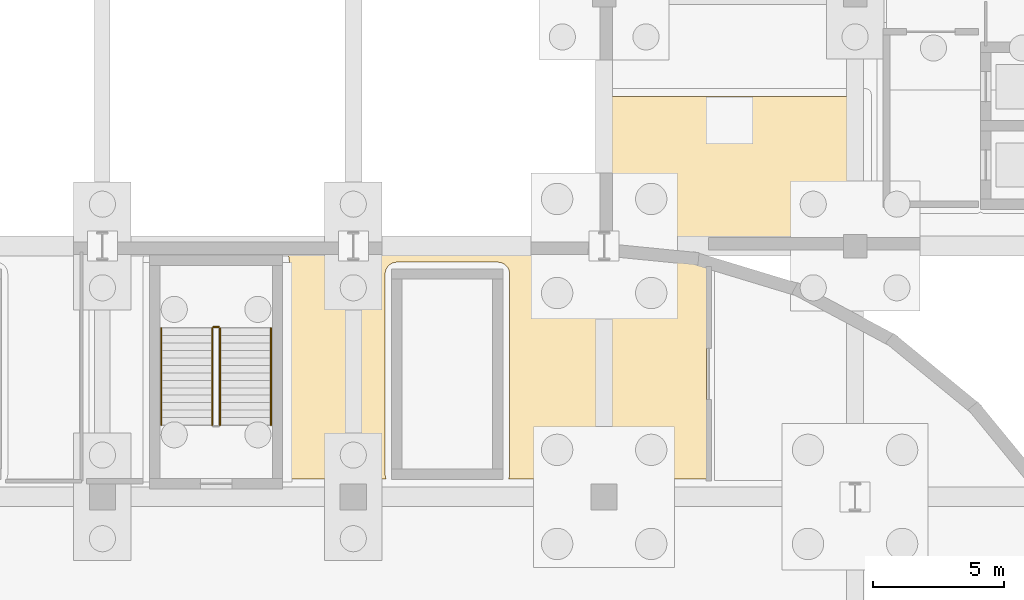
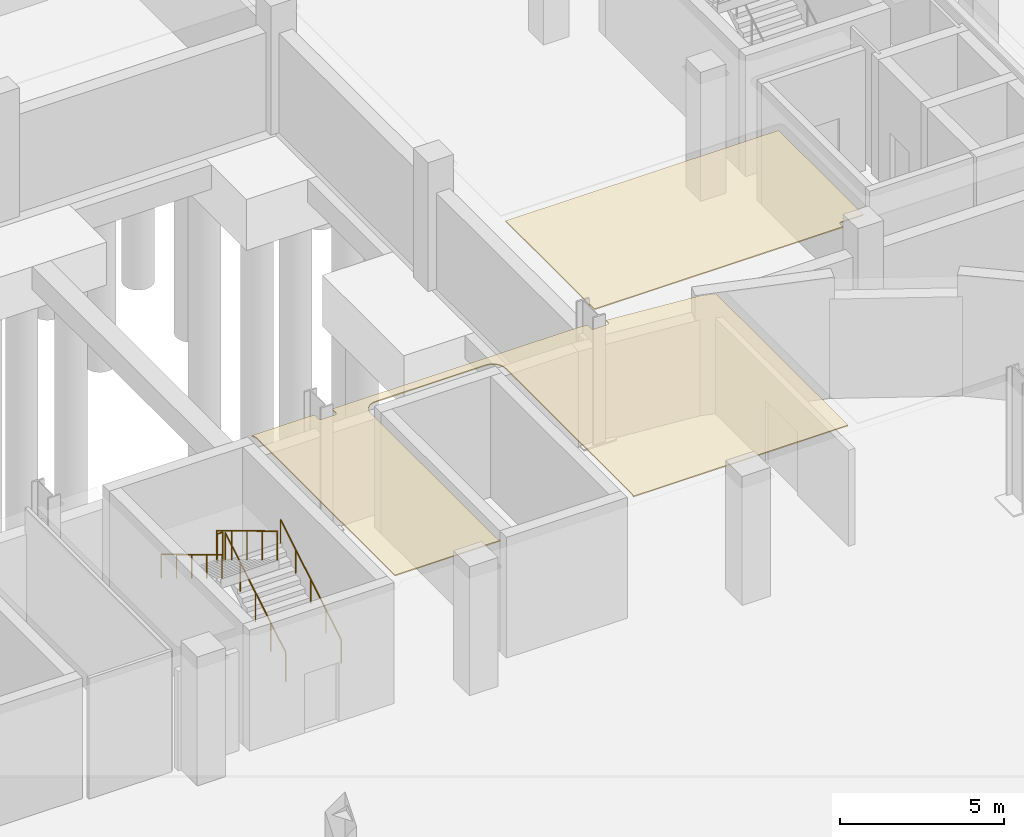
# One storey, part 60 of 67: 5 railings, 2 coverings.
"""IFC4 building model written with IfcOpenShell, lengths in metres."""

from ifc_helpers import new_model, si_unit, direction, frame, origin, origin_2d, place, context, subcontext, project, spatial, polyline, circle, outline, extrude, material, layer, layer_set, type_object, element, save


model = new_model("IFC4")

# Units and contexts
model_context = context("Model", 3, precision=1e-05, world=origin(), true_north=direction((0.0, 1.0)))
body_context = subcontext(model_context, "Body", "Model", "MODEL_VIEW")
ifc_project = project(units=[si_unit("LENGTHUNIT", "METRE"), si_unit("AREAUNIT", "SQUARE_METRE"), si_unit("VOLUMEUNIT", "CUBIC_METRE"), si_unit("PLANEANGLEUNIT", "RADIAN"), si_unit("MASSUNIT", "GRAM", prefix="KILO")], contexts=[model_context])

# Site, building, storey
site_placement = place(None, origin())
site = spatial("IfcSite", under=ifc_project, at=site_placement, CompositionType="ELEMENT")
building_placement = place(site_placement, origin())
building = spatial("IfcBuilding", under=site, at=building_placement, Name="Caelomonte Colonnade Arena", CompositionType="ELEMENT")
storey_placement = place(building_placement, frame((0.0, 0.0, -4.800048828125)))
storey = spatial("IfcBuildingStorey", under=building, at=storey_placement, Name="B1", CompositionType="ELEMENT", Elevation=-4.800048828125)

# Coverings
ifc_material_1 = material(Name="Perforated acoustic mineral-fibre ceiling")
ifc_layer = layer(ifc_material_1, 0.0400390625)
ifc_layer_set = layer_set([ifc_layer], Name="Perforated acoustic mineral-fibre ceiling")
covering_type = type_object("IfcCoveringType", Name="INT-CV-CEIL1", PredefinedType="CEILING", material=ifc_layer_set)
covering_1_placement = place(storey_placement, frame((0.0, 0.0, 4.420166015625)))
element("IfcCovering", 1, at=covering_1_placement, inside=storey, type_object=covering_type, Name="B1 Court Equipment Store acoustic ceiling", PredefinedType="CEILING", context=body_context, shape_type="SweptSolid", body=[
    extrude(outline(polyline([(134.091552734375, 114.89990234375), (131.874267578125, 114.89990234375), (131.89697265625, 114.862060546875), (131.915771484375, 114.822265625), (131.9306640625, 114.780517578125), (131.94140625, 114.73779296875), (131.94775390625, 114.694091796875), (131.949951171875, 114.64990234375), (131.949951171875, 106.280029296875), (135.66259765625, 106.280029296875), (135.654296875, 106.2978515625), (135.639404296875, 106.33935546875), (135.628662109375, 106.382080078125), (135.622314453125, 106.42578125), (135.6201171875, 106.469970703125), (135.6201171875, 114.1298828125), (135.622314453125, 114.174072265625), (135.628662109375, 114.2177734375), (135.639404296875, 114.260498046875), (135.654296875, 114.30224609375), (135.673095703125, 114.342041015625), (135.69580078125, 114.3798828125), (135.72216796875, 114.41552734375), (135.751708984375, 114.4482421875), (135.784423828125, 114.477783203125), (135.820068359375, 114.504150390625), (135.85791015625, 114.52685546875), (135.897705078125, 114.545654296875), (135.939453125, 114.560546875), (135.982177734375, 114.5712890625), (136.02587890625, 114.577880859375), (136.070068359375, 114.580078125), (139.929931640625, 114.580078125), (139.97412109375, 114.577880859375), (140.017822265625, 114.5712890625), (140.060546875, 114.560546875), (140.102294921875, 114.545654296875), (140.14208984375, 114.52685546875), (140.179931640625, 114.504150390625), (140.215576171875, 114.477783203125), (140.248291015625, 114.4482421875), (140.27783203125, 114.41552734375), (140.30419921875, 114.3798828125), (140.326904296875, 114.342041015625), (140.345703125, 114.30224609375), (140.360595703125, 114.260498046875), (140.371337890625, 114.2177734375), (140.377685546875, 114.174072265625), (140.3798828125, 114.1298828125), (140.3798828125, 106.469970703125), (140.377685546875, 106.42578125), (140.371337890625, 106.382080078125), (140.360595703125, 106.33935546875), (140.345703125, 106.2978515625), (140.33740234375, 106.280029296875), (147.919921875, 106.280029296875), (147.919921875, 114.354736328125), (147.43798828125, 114.500732421875), (144.30859375, 114.80908203125), (144.30859375, 114.664306640625), (144.30810546875, 114.656494140625), (144.306884765625, 114.648681640625), (144.30517578125, 114.64111328125), (144.302490234375, 114.6337890625), (144.299072265625, 114.626708984375), (144.294921875, 114.619873046875), (144.290283203125, 114.613525390625), (144.28515625, 114.607666015625), (144.279296875, 114.6025390625), (144.27294921875, 114.597900390625), (144.26611328125, 114.59375), (144.259033203125, 114.59033203125), (144.251708984375, 114.587646484375), (144.244140625, 114.585693359375), (144.236328125, 114.584716796875), (144.228515625, 114.584228515625), (143.771484375, 114.584228515625), (143.763671875, 114.584716796875), (143.755859375, 114.585693359375), (143.748291015625, 114.587646484375), (143.740966796875, 114.59033203125), (143.73388671875, 114.59375), (143.72705078125, 114.597900390625), (143.720703125, 114.6025390625), (143.71484375, 114.607666015625), (143.709716796875, 114.613525390625), (143.705078125, 114.619873046875), (143.700927734375, 114.626708984375), (143.697509765625, 114.6337890625), (143.69482421875, 114.64111328125), (143.693115234375, 114.648681640625), (143.69189453125, 114.656494140625), (143.69140625, 114.664306640625), (143.69140625, 114.869873046875), (143.38525390625, 114.89990234375), (134.70849609375, 114.89990234375), (134.70849609375, 114.664306640625), (134.7080078125, 114.656494140625), (134.70703125, 114.648681640625), (134.705078125, 114.64111328125), (134.702392578125, 114.6337890625), (134.69921875, 114.626708984375), (134.695068359375, 114.619873046875), (134.690185546875, 114.613525390625), (134.68505859375, 114.607666015625), (134.67919921875, 114.6025390625), (134.6728515625, 114.597900390625), (134.666259765625, 114.59375), (134.6591796875, 114.59033203125), (134.651611328125, 114.587646484375), (134.64404296875, 114.585693359375), (134.63623046875, 114.584716796875), (134.62841796875, 114.584228515625), (134.17138671875, 114.584228515625), (134.163818359375, 114.584716796875), (134.156005859375, 114.585693359375), (134.148193359375, 114.587646484375), (134.140869140625, 114.59033203125), (134.1337890625, 114.59375), (134.127197265625, 114.597900390625), (134.12060546875, 114.6025390625), (134.114990234375, 114.607666015625), (134.109619140625, 114.613525390625), (134.10498046875, 114.619873046875), (134.100830078125, 114.626708984375), (134.09765625, 114.6337890625), (134.094970703125, 114.64111328125), (134.093017578125, 114.648681640625), (134.091796875, 114.656494140625), (134.091552734375, 114.664306640625), (134.091552734375, 114.89990234375)])), origin(), (0.0, 0.0, 1.0), 0.039794921875),
])
covering_2_placement = place(storey_placement, frame((0.0, 0.0, 4.420166015625)))
element("IfcCovering", 2, at=covering_2_placement, inside=storey, type_object=covering_type, Name="B1 North Service Concourse acoustic ceiling", PredefinedType="CEILING", context=body_context, shape_type="SweptSolid", body=[
    extrude(outline(polyline([(144.300048828125, 120.919921875), (144.300048828125, 115.771484375), (144.302490234375, 115.766357421875), (144.30517578125, 115.7587890625), (144.306884765625, 115.751220703125), (144.30810546875, 115.743408203125), (144.30859375, 115.735595703125), (144.30859375, 115.5), (153.054931640625, 115.5), (153.054931640625, 115.6650390625), (153.055419921875, 115.6728515625), (153.056396484375, 115.6806640625), (153.058349609375, 115.688232421875), (153.06103515625, 115.695556640625), (153.064453125, 115.70263671875), (153.068603515625, 115.70947265625), (153.0732421875, 115.7158203125), (153.078369140625, 115.7216796875), (153.084228515625, 115.726806640625), (153.090576171875, 115.7314453125), (153.097412109375, 115.735595703125), (153.1044921875, 115.739013671875), (153.11181640625, 115.74169921875), (153.119384765625, 115.743408203125), (153.127197265625, 115.74462890625), (153.135009765625, 115.7451171875), (153.919921875, 115.7451171875), (153.919921875, 120.919921875), (144.300048828125, 120.919921875)])), origin(), (0.0, 0.0, 1.0), 0.039794921875),
])

# Railings
ifc_material_2 = material(Name="Painted galvanized steel stair guard", Category="steel")
railing_type_1 = type_object("IfcRailingType", Name="INT-RL-GRD", PredefinedType="GUARDRAIL", material=ifc_material_2)
railing_1_placement = place(storey_placement, frame((129.300048828125, 108.35009765625, 0.17138671875)))
element("IfcRailing", 3, at=railing_1_placement, inside=storey, type_object=railing_type_1, Name="B1 ST-16 stair guard 1", PredefinedType="GUARDRAIL", context=body_context, shape_type="SweptSolid", body=[
    extrude(circle(Radius=0.02392578125, at=origin_2d()), frame((0.0, 0.0, 1.076171875), z_axis=(0.0, 0.856894455432, 0.515491893485), x_axis=(-1.0, 0.0, 0.0)), (0.0, 0.0, 1.0), 4.323486328125),
    extrude(circle(Radius=0.02099609375, at=origin_2d()), origin(), (0.0, 0.0, 1.0), 1.048095703125),
    extrude(circle(Radius=0.02099609375, at=origin_2d()), frame((0.0, 0.92626953125, 0.55712890625)), (0.0, 0.0, 1.0), 1.048095703125),
    extrude(circle(Radius=0.02099609375, at=origin_2d()), frame((0.0, 1.8525390625, 1.1142578125)), (0.0, 0.0, 1.0), 1.048095703125),
    extrude(circle(Radius=0.02099609375, at=origin_2d()), frame((0.0, 2.778564453125, 1.671630859375)), (0.0, 0.0, 1.0), 1.048095703125),
    extrude(circle(Radius=0.02099609375, at=origin_2d()), frame((0.0, 3.704833984375, 2.228759765625)), (0.0, 0.0, 1.0), 1.048095703125),
])
railing_2_placement = place(storey_placement, frame((129.25, 112.10498046875, 2.400146484375)))
element("IfcRailing", 4, at=railing_2_placement, inside=storey, type_object=railing_type_1, Name="B1 ST-16 stair guard 2", PredefinedType="GUARDRAIL", context=body_context, shape_type="SweptSolid", body=[
    extrude(circle(Radius=0.02392578125, at=origin_2d()), frame((0.0, 0.0, 1.076171875), z_axis=(-1.0, 0.0, 0.0), x_axis=(0.0, -1.0, 0.0)), (0.0, 0.0, 1.0), 0.199951171875),
    extrude(circle(Radius=0.02099609375, at=origin_2d()), origin(), (0.0, 0.0, 1.0), 1.048095703125),
    extrude(circle(Radius=0.02099609375, at=origin_2d()), frame((-0.199951171875, 0.0, 0.0)), (0.0, 0.0, 1.0), 1.048095703125),
])
railing_3_placement = place(storey_placement, frame((129.0, 112.054931640625, 2.571533203125)))
element("IfcRailing", 5, at=railing_3_placement, inside=storey, type_object=railing_type_1, Name="B1 ST-16 stair guard 3", PredefinedType="GUARDRAIL", context=body_context, shape_type="SweptSolid", body=[
    extrude(circle(Radius=0.02392578125, at=origin_2d()), frame((0.0, 0.0, 1.076171875), z_axis=(0.0, -0.856919398105, 0.515450429384), x_axis=(1.0, 0.0, 0.0)), (0.0, 0.0, 1.0), 4.323486328125),
    extrude(circle(Radius=0.02099609375, at=origin_2d()), origin(), (0.0, 0.0, 1.0), 1.048095703125),
    extrude(circle(Radius=0.02099609375, at=origin_2d()), frame((0.0, -0.92626953125, 0.55712890625)), (0.0, 0.0, 1.0), 1.048095703125),
    extrude(circle(Radius=0.02099609375, at=origin_2d()), frame((0.0, -1.8525390625, 1.1142578125)), (0.0, 0.0, 1.0), 1.048095703125),
    extrude(circle(Radius=0.02099609375, at=origin_2d()), frame((0.0, -2.778564453125, 1.67138671875)), (0.0, 0.0, 1.0), 1.048095703125),
    extrude(circle(Radius=0.02099609375, at=origin_2d()), frame((0.0, -3.704833984375, 2.228515625)), (0.0, 0.0, 1.0), 1.048095703125),
])
ifc_material_3 = material(Name="Brushed stainless steel stair handrail", Category="steel")
railing_type_2 = type_object("IfcRailingType", Name="INT-RL-HR", PredefinedType="HANDRAIL", material=ifc_material_3)
railing_4_placement = place(storey_placement, frame((131.25, 108.35009765625, 0.17138671875)))
element("IfcRailing", 6, at=railing_4_placement, inside=storey, type_object=railing_type_2, Name="B1 ST-16 stair handrail 1", PredefinedType="HANDRAIL", context=body_context, shape_type="SweptSolid", body=[
    extrude(circle(Radius=0.02392578125, at=origin_2d()), frame((0.0, 0.0, 0.8759765625), z_axis=(0.0, 0.856894455432, 0.515491893485), x_axis=(-1.0, 0.0, 0.0)), (0.0, 0.0, 1.0), 4.323486328125),
    extrude(circle(Radius=0.02099609375, at=origin_2d()), origin(), (0.0, 0.0, 1.0), 0.847900390625),
    extrude(circle(Radius=0.02099609375, at=origin_2d()), frame((0.0, 0.92626953125, 0.55712890625)), (0.0, 0.0, 1.0), 0.847900390625),
    extrude(circle(Radius=0.02099609375, at=origin_2d()), frame((0.0, 1.8525390625, 1.1142578125)), (0.0, 0.0, 1.0), 0.847900390625),
    extrude(circle(Radius=0.02099609375, at=origin_2d()), frame((0.0, 2.778564453125, 1.671630859375)), (0.0, 0.0, 1.0), 0.847900390625),
    extrude(circle(Radius=0.02099609375, at=origin_2d()), frame((0.0, 3.704833984375, 2.228759765625)), (0.0, 0.0, 1.0), 0.847900390625),
])
railing_5_placement = place(storey_placement, frame((127.050048828125, 112.054931640625, 2.571533203125)))
element("IfcRailing", 7, at=railing_5_placement, inside=storey, type_object=railing_type_2, Name="B1 ST-16 stair handrail 2", PredefinedType="HANDRAIL", context=body_context, shape_type="SweptSolid", body=[
    extrude(circle(Radius=0.02392578125, at=origin_2d()), frame((0.0, 0.0, 0.8759765625), z_axis=(0.0, -0.856919398105, 0.515450429384), x_axis=(1.0, 0.0, 0.0)), (0.0, 0.0, 1.0), 4.323486328125),
    extrude(circle(Radius=0.02099609375, at=origin_2d()), origin(), (0.0, 0.0, 1.0), 0.847900390625),
    extrude(circle(Radius=0.02099609375, at=origin_2d()), frame((0.0, -0.92626953125, 0.55712890625)), (0.0, 0.0, 1.0), 0.847900390625),
    extrude(circle(Radius=0.02099609375, at=origin_2d()), frame((0.0, -1.8525390625, 1.1142578125)), (0.0, 0.0, 1.0), 0.847900390625),
    extrude(circle(Radius=0.02099609375, at=origin_2d()), frame((0.0, -2.778564453125, 1.67138671875)), (0.0, 0.0, 1.0), 0.847900390625),
    extrude(circle(Radius=0.02099609375, at=origin_2d()), frame((0.0, -3.704833984375, 2.228515625)), (0.0, 0.0, 1.0), 0.847900390625),
])

save(model, "model.ifc")
